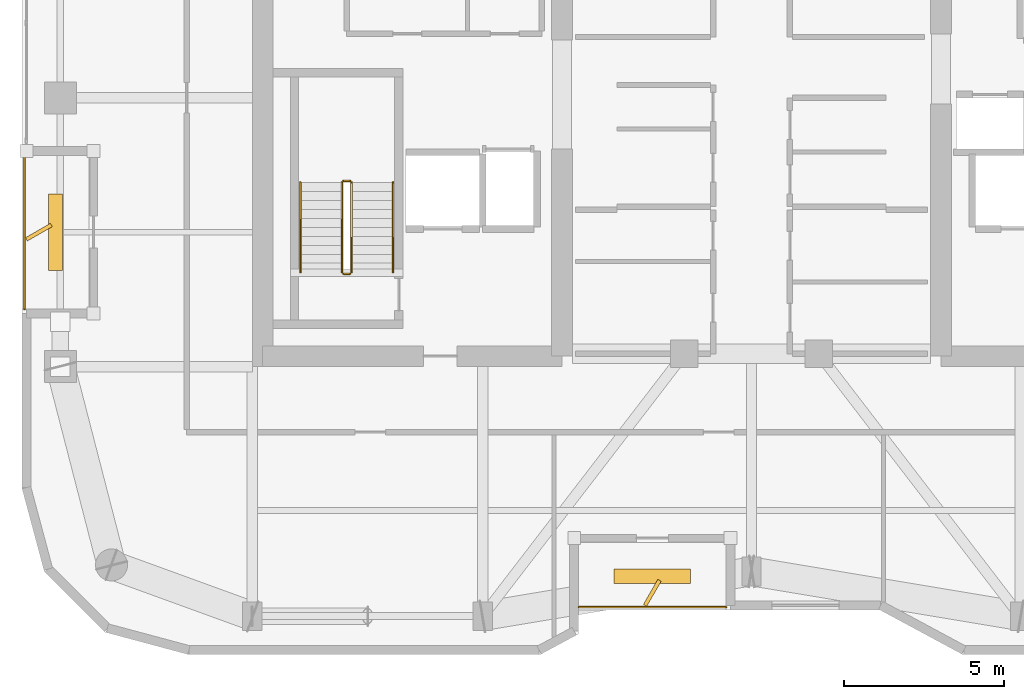
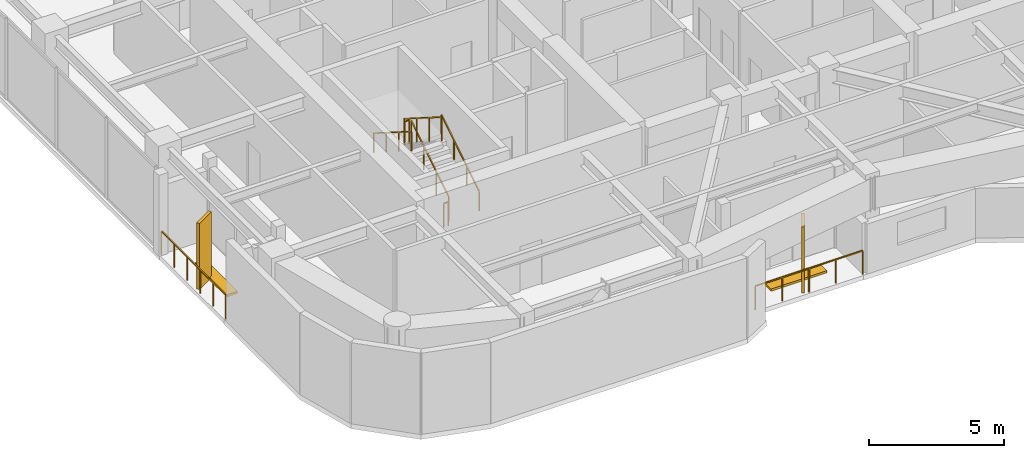
# One storey, part 19 of 21: 8 railings, 4 shading devices.
"""IFC4 building model written with IfcOpenShell, lengths in metres."""

from ifc_helpers import new_model, si_unit, direction, frame, origin, origin_2d, place, context, subcontext, project, spatial, rectangle, extrude, material, type_object, element, save


model = new_model("IFC4")

# Units and contexts
model_context = context("Model", 3, precision=1e-05, world=origin(), true_north=direction((0.0, 1.0)))
body_context = subcontext(model_context, "Body", "Model", "MODEL_VIEW")
ifc_project = project(units=[si_unit("LENGTHUNIT", "METRE"), si_unit("AREAUNIT", "SQUARE_METRE"), si_unit("VOLUMEUNIT", "CUBIC_METRE"), si_unit("PLANEANGLEUNIT", "RADIAN"), si_unit("MASSUNIT", "GRAM", prefix="KILO")], contexts=[model_context])

# Site, building, storey
site_placement = place(None, origin())
site = spatial("IfcSite", under=ifc_project, at=site_placement, CompositionType="ELEMENT")
building_placement = place(site_placement, origin())
building = spatial("IfcBuilding", under=site, at=building_placement, Name="Kiyonajd Concourse Tower", CompositionType="ELEMENT")
storey_placement = place(building_placement, frame((0.0, 0.0, 234.89990234375)))
storey = spatial("IfcBuildingStorey", under=building, at=storey_placement, Name="L59", CompositionType="ELEMENT", Elevation=234.89990234375)

# Railings
ifc_material_1 = material(Name="Thermally Broken Anodised Aluminium", Category="aluminium")
railing_type_1 = type_object("IfcRailingType", Name="RL-GRD-LOG", PredefinedType="GUARDRAIL", material=ifc_material_1)
railing_1_placement = place(storey_placement, frame((42.60009765625, 20.080078125, 0.0)))
element("IfcRailing", 1, at=railing_1_placement, inside=storey, type_object=railing_type_1, Name="L59 Engawa Loggia Perimeter Guard LOG-S", PredefinedType="GUARDRAIL", context=body_context, shape_type="SweptSolid", body=[
    extrude(rectangle(XDim=0.048095703125, YDim=0.048095703125, at=origin_2d()), frame((0.0, 0.0, 1.076171875), z_axis=(1.0, 0.0, 0.0), x_axis=(0.0, 1.0, 0.0)), (0.0, 0.0, 1.0), 4.599853515625),
    extrude(rectangle(XDim=0.0419921875, YDim=0.0419921875, at=origin_2d()), origin(), (0.0, 0.0, 1.0), 1.052001953125),
    extrude(rectangle(XDim=0.0419921875, YDim=0.0419921875, at=origin_2d()), frame((1.14990234375, 0.0, 0.0)), (0.0, 0.0, 1.0), 1.052001953125),
    extrude(rectangle(XDim=0.0419921875, YDim=0.0419921875, at=origin_2d()), frame((2.2998046875, 0.0, 0.0)), (0.0, 0.0, 1.0), 1.052001953125),
    extrude(rectangle(XDim=0.0419921875, YDim=0.0419921875, at=origin_2d()), frame((3.449951171875, 0.0, 0.0)), (0.0, 0.0, 1.0), 1.052001953125),
    extrude(rectangle(XDim=0.0419921875, YDim=0.0419921875, at=origin_2d()), frame((4.599853515625, 0.0, 0.0)), (0.0, 0.0, 1.0), 1.052001953125),
])
railing_2_placement = place(storey_placement, frame((25.280029296875, 34.199951171875, 0.0)))
element("IfcRailing", 2, at=railing_2_placement, inside=storey, type_object=railing_type_1, Name="L59 Engawa Loggia Perimeter Guard LOG-W", PredefinedType="GUARDRAIL", context=body_context, shape_type="SweptSolid", body=[
    extrude(rectangle(XDim=0.048095703125, YDim=0.048095703125, at=origin_2d()), frame((0.0, 0.0, 1.076171875), z_axis=(0.0, -1.0, 0.0), x_axis=(1.0, 0.0, 0.0)), (0.0, 0.0, 1.0), 4.800048828125),
    extrude(rectangle(XDim=0.0419921875, YDim=0.0419921875, at=origin_2d()), origin(), (0.0, 0.0, 1.0), 1.052001953125),
    extrude(rectangle(XDim=0.0419921875, YDim=0.0419921875, at=origin_2d()), frame((0.0, -0.9599609375, 0.0)), (0.0, 0.0, 1.0), 1.052001953125),
    extrude(rectangle(XDim=0.0419921875, YDim=0.0419921875, at=origin_2d()), frame((0.0, -1.919921875, 0.0)), (0.0, 0.0, 1.0), 1.052001953125),
    extrude(rectangle(XDim=0.0419921875, YDim=0.0419921875, at=origin_2d()), frame((0.0, -2.880126953125, 0.0)), (0.0, 0.0, 1.0), 1.052001953125),
    extrude(rectangle(XDim=0.0419921875, YDim=0.0419921875, at=origin_2d()), frame((0.0, -3.840087890625, 0.0)), (0.0, 0.0, 1.0), 1.052001953125),
    extrude(rectangle(XDim=0.0419921875, YDim=0.0419921875, at=origin_2d()), frame((0.0, -4.800048828125, 0.0)), (0.0, 0.0, 1.0), 1.052001953125),
])
ifc_material_2 = material(Name="Steel ASTM A500 Grade C", Category="steel")
railing_type_2 = type_object("IfcRailingType", Name="RL-GRD-STR", PredefinedType="GUARDRAIL", material=ifc_material_2)
railing_3_placement = place(storey_placement, frame((35.5, 30.550048828125, 0.177490234375)))
element("IfcRailing", 3, at=railing_3_placement, inside=storey, type_object=railing_type_2, Name="L59 ST1 stair guard 1", PredefinedType="GUARDRAIL", context=body_context, shape_type="SweptSolid", body=[
    extrude(rectangle(XDim=0.048095703125, YDim=0.048095703125, at=origin_2d()), frame((0.0, 0.0, 1.076171875), z_axis=(0.0, 0.844908973607, 0.534910110503), x_axis=(-1.0, 0.0, 0.0)), (0.0, 0.0, 1.0), 3.31396484375),
    extrude(rectangle(XDim=0.0419921875, YDim=0.0419921875, at=origin_2d()), origin(), (0.0, 0.0, 1.0), 1.052001953125),
    extrude(rectangle(XDim=0.0419921875, YDim=0.0419921875, at=origin_2d()), frame((0.0, 0.933349609375, 0.5908203125)), (0.0, 0.0, 1.0), 1.052001953125),
    extrude(rectangle(XDim=0.0419921875, YDim=0.0419921875, at=origin_2d()), frame((0.0, 1.86669921875, 1.181884765625)), (0.0, 0.0, 1.0), 1.052001953125),
    extrude(rectangle(XDim=0.0419921875, YDim=0.0419921875, at=origin_2d()), frame((0.0, 2.800048828125, 1.772705078125)), (0.0, 0.0, 1.0), 1.052001953125),
])
railing_4_placement = place(storey_placement, frame((35.449951171875, 33.39990234375, 1.9501953125)))
element("IfcRailing", 4, at=railing_4_placement, inside=storey, type_object=railing_type_2, Name="L59 ST1 stair guard 2", PredefinedType="GUARDRAIL", context=body_context, shape_type="SweptSolid", body=[
    extrude(rectangle(XDim=0.048095703125, YDim=0.048095703125, at=origin_2d()), frame((0.0, 0.0, 1.076171875), z_axis=(-1.0, 0.0, 0.0), x_axis=(0.0, -1.0, 0.0)), (0.0, 0.0, 1.0), 0.199951171875),
    extrude(rectangle(XDim=0.0419921875, YDim=0.0419921875, at=origin_2d()), origin(), (0.0, 0.0, 1.0), 1.052001953125),
    extrude(rectangle(XDim=0.0419921875, YDim=0.0419921875, at=origin_2d()), frame((-0.199951171875, 0.0, 0.0)), (0.0, 0.0, 1.0), 1.052001953125),
])
railing_5_placement = place(storey_placement, frame((35.199951171875, 33.35009765625, 2.12744140625)))
element("IfcRailing", 5, at=railing_5_placement, inside=storey, type_object=railing_type_2, Name="L59 ST1 stair guard 3", PredefinedType="GUARDRAIL", context=body_context, shape_type="SweptSolid", body=[
    extrude(rectangle(XDim=0.048095703125, YDim=0.048095703125, at=origin_2d()), frame((0.0, 0.0, 1.076171875), z_axis=(0.0, -0.844908973607, 0.534910110503), x_axis=(1.0, 0.0, 0.0)), (0.0, 0.0, 1.0), 3.31396484375),
    extrude(rectangle(XDim=0.0419921875, YDim=0.0419921875, at=origin_2d()), origin(), (0.0, 0.0, 1.0), 1.052001953125),
    extrude(rectangle(XDim=0.0419921875, YDim=0.0419921875, at=origin_2d()), frame((0.0, -0.933349609375, 0.5908203125)), (0.0, 0.0, 1.0), 1.052001953125),
    extrude(rectangle(XDim=0.0419921875, YDim=0.0419921875, at=origin_2d()), frame((0.0, -1.86669921875, 1.181884765625)), (0.0, 0.0, 1.0), 1.052001953125),
    extrude(rectangle(XDim=0.0419921875, YDim=0.0419921875, at=origin_2d()), frame((0.0, -2.800048828125, 1.772705078125)), (0.0, 0.0, 1.0), 1.052001953125),
])
railing_6_placement = place(storey_placement, frame((35.449951171875, 30.5, 0.0)))
element("IfcRailing", 6, at=railing_6_placement, inside=storey, type_object=railing_type_2, Name="L59 ST1 stair guard 4", PredefinedType="GUARDRAIL", context=body_context, shape_type="SweptSolid", body=[
    extrude(rectangle(XDim=0.048095703125, YDim=0.048095703125, at=origin_2d()), frame((0.0, 0.0, 1.076171875), z_axis=(-1.0, 0.0, 0.0), x_axis=(0.0, -1.0, 0.0)), (0.0, 0.0, 1.0), 0.199951171875),
    extrude(rectangle(XDim=0.0419921875, YDim=0.0419921875, at=origin_2d()), origin(), (0.0, 0.0, 1.0), 1.052001953125),
    extrude(rectangle(XDim=0.0419921875, YDim=0.0419921875, at=origin_2d()), frame((-0.199951171875, 0.0, 0.0)), (0.0, 0.0, 1.0), 1.052001953125),
])
ifc_material_3 = material(Name="Brushed Stainless Steel Cab Assembly", Category="steel")
railing_type_3 = type_object("IfcRailingType", Name="RL-HND-900", PredefinedType="HANDRAIL", material=ifc_material_3)
railing_7_placement = place(storey_placement, frame((36.800048828125, 30.550048828125, 0.177490234375)))
element("IfcRailing", 7, at=railing_7_placement, inside=storey, type_object=railing_type_3, Name="L59 ST1 stair handrail 1", PredefinedType="HANDRAIL", context=body_context, shape_type="SweptSolid", body=[
    extrude(rectangle(XDim=0.048095703125, YDim=0.048095703125, at=origin_2d()), frame((0.0, 0.0, 0.8759765625), z_axis=(0.0, 0.844908973607, 0.534910110503), x_axis=(-1.0, 0.0, 0.0)), (0.0, 0.0, 1.0), 3.31396484375),
    extrude(rectangle(XDim=0.0419921875, YDim=0.0419921875, at=origin_2d()), origin(), (0.0, 0.0, 1.0), 0.851806640625),
    extrude(rectangle(XDim=0.0419921875, YDim=0.0419921875, at=origin_2d()), frame((0.0, 0.933349609375, 0.5908203125)), (0.0, 0.0, 1.0), 0.851806640625),
    extrude(rectangle(XDim=0.0419921875, YDim=0.0419921875, at=origin_2d()), frame((0.0, 1.86669921875, 1.181884765625)), (0.0, 0.0, 1.0), 0.851806640625),
    extrude(rectangle(XDim=0.0419921875, YDim=0.0419921875, at=origin_2d()), frame((0.0, 2.800048828125, 1.772705078125)), (0.0, 0.0, 1.0), 0.851806640625),
])
railing_8_placement = place(storey_placement, frame((33.89990234375, 33.35009765625, 2.12744140625)))
element("IfcRailing", 8, at=railing_8_placement, inside=storey, type_object=railing_type_3, Name="L59 ST1 stair handrail 2", PredefinedType="HANDRAIL", context=body_context, shape_type="SweptSolid", body=[
    extrude(rectangle(XDim=0.048095703125, YDim=0.048095703125, at=origin_2d()), frame((0.0, 0.0, 0.8759765625), z_axis=(0.0, -0.844908973607, 0.534910110503), x_axis=(1.0, 0.0, 0.0)), (0.0, 0.0, 1.0), 3.31396484375),
    extrude(rectangle(XDim=0.0419921875, YDim=0.0419921875, at=origin_2d()), origin(), (0.0, 0.0, 1.0), 0.851806640625),
    extrude(rectangle(XDim=0.0419921875, YDim=0.0419921875, at=origin_2d()), frame((0.0, -0.933349609375, 0.5908203125)), (0.0, 0.0, 1.0), 0.851806640625),
    extrude(rectangle(XDim=0.0419921875, YDim=0.0419921875, at=origin_2d()), frame((0.0, -1.86669921875, 1.181884765625)), (0.0, 0.0, 1.0), 0.851806640625),
    extrude(rectangle(XDim=0.0419921875, YDim=0.0419921875, at=origin_2d()), frame((0.0, -2.800048828125, 1.772705078125)), (0.0, 0.0, 1.0), 0.851806640625),
])

# Shading devices
ifc_material_4 = material(Name="Precast concrete C50/60", Category="concrete")
shading_device_type_1 = type_object("IfcShadingDeviceType", Name="SH-FIN-900", PredefinedType="USERDEFINED", material=ifc_material_4)
for number, where, z_axis, x_axis, name in (
    (9, (44.89990234375, 20.530029296875, 0.0), (0.0, 0.0, 1.0), (0.5, 0.866025403784, 0.0), "L59 Angled Koshi Solar Fin LOG-S"),
    (10, (25.72998046875, 31.800048828125, 0.0), (0.0, 0.0, 1.0), (0.866025403784, 0.5, 0.0), "L59 Angled Koshi Solar Fin LOG-W"),
):
    element("IfcShadingDevice", number, at=place(storey_placement, frame(where, z_axis=z_axis, x_axis=x_axis)), inside=storey, type_object=shading_device_type_1, Name=name, ObjectType="FIN", PredefinedType="USERDEFINED", context=body_context, shape_type="SweptSolid", body=[
        extrude(rectangle(XDim=0.89990234375, YDim=0.1201171875, at=origin_2d()), origin(), (0.0, 0.0, 1.0), 3.0),
    ])
shading_device_type_2 = type_object("IfcShadingDeviceType", Name="SH-LVR-600", PredefinedType="JALOUSIE", material=ifc_material_1)
for number, where, z_axis, x_axis, name in (
    (11, (44.89990234375, 21.050048828125, 0.0), (0.0, 0.0, 1.0), (1.0, 0.0, 0.0), "L59 Loggia Threshold Louver LOG-S"),
    (12, (26.25, 31.800048828125, 0.0), (0.0, 0.0, 1.0), (0.0, 1.0, 0.0), "L59 Loggia Threshold Louver LOG-W"),
):
    element("IfcShadingDevice", number, at=place(storey_placement, frame(where, z_axis=z_axis, x_axis=x_axis)), inside=storey, type_object=shading_device_type_2, Name=name, PredefinedType="JALOUSIE", context=body_context, shape_type="SweptSolid", body=[
        extrude(rectangle(XDim=2.39990234375, YDim=0.449951171875, at=origin_2d()), origin(), (0.0, 0.0, 1.0), 0.10009765625),
    ])

save(model, "model.ifc")
